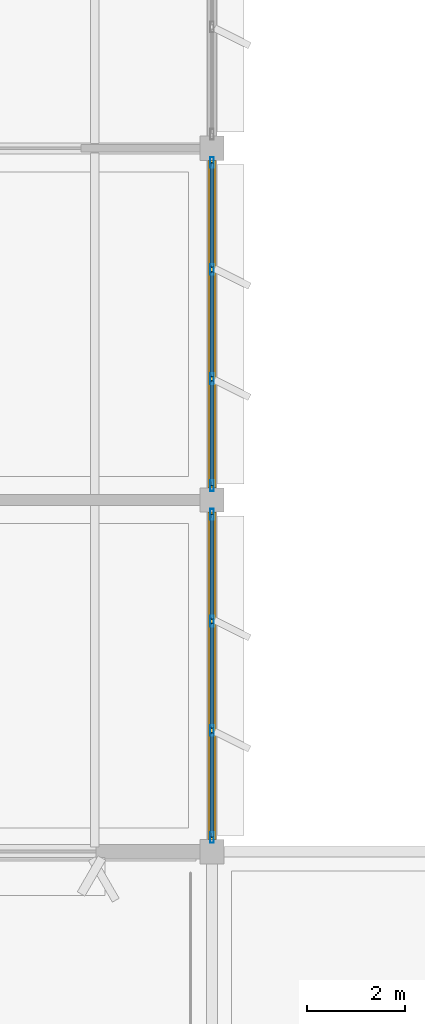
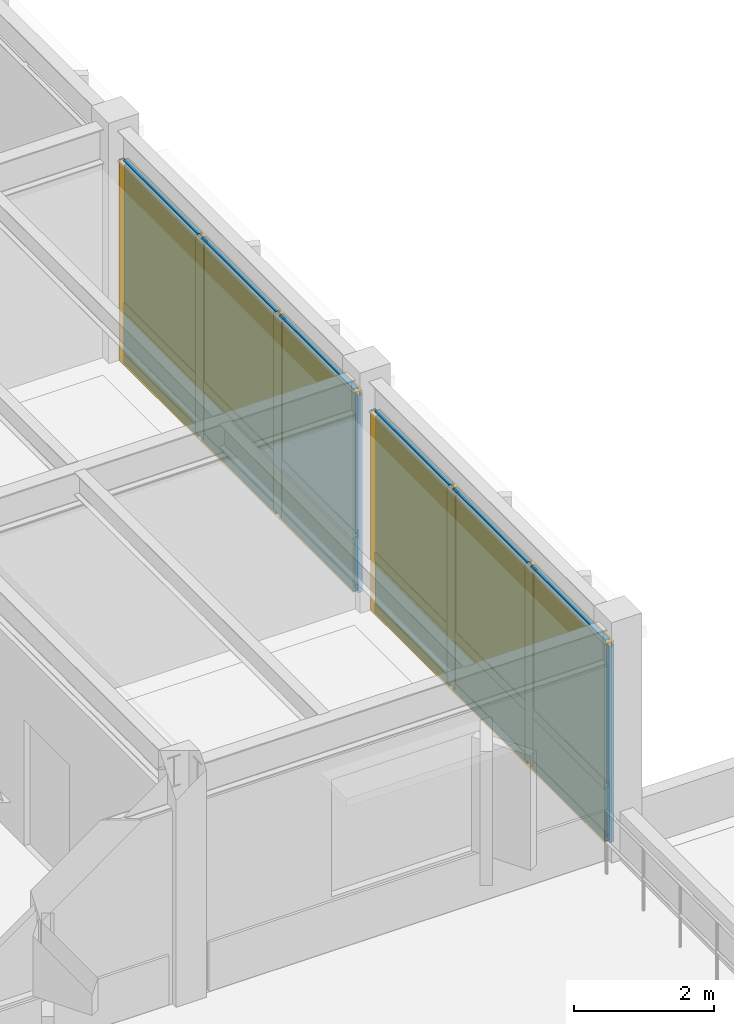
# One storey, part 66 of 85: 26 members, 12 plates, 2 curtain walls.
"""IFC4 building model written with IfcOpenShell, lengths in metres."""

from ifc_helpers import new_model, si_unit, direction, frame, origin, origin_2d, place, context, subcontext, project, spatial, rectangle, hollow_rectangle, extrude, material, layer, layer_set, material_profile, profile_set, type_object, element, aggregate, save


model = new_model("IFC4")

# Units and contexts
model_context = context("Model", 3, precision=1e-05, world=origin(), true_north=direction((0.0, 1.0)))
body_context = subcontext(model_context, "Body", "Model", "MODEL_VIEW")
ifc_project = project(units=[si_unit("LENGTHUNIT", "METRE"), si_unit("AREAUNIT", "SQUARE_METRE"), si_unit("VOLUMEUNIT", "CUBIC_METRE"), si_unit("PLANEANGLEUNIT", "RADIAN"), si_unit("MASSUNIT", "GRAM", prefix="KILO")], contexts=[model_context])

# Member
ifc_material_1 = material(Name="Anodized Aluminium 6063-T6", Category="aluminium")
ifc_material_profile_1 = material_profile(ifc_material_1, hollow_rectangle(XDim=0.074951171875, YDim=0.219970703125, WallThickness=0.0048828125, at=origin_2d()), Name="ALU 75x220x5")
ifc_profile_set_1 = profile_set([ifc_material_profile_1], Name="Anodized Aluminium 6063-T6")
member_type_1 = type_object("IfcMemberType", Name="CWM-75X180", PredefinedType="MULLION", material=ifc_profile_set_1)
site_placement = place(None, origin())
building_placement = place(site_placement, origin())
storey_placement = place(building_placement, frame((0.0, 0.0, 9.89990234375)))
member_1_placement = place(storey_placement, frame((144.0, 35.7099609375, 0.02001953125), z_axis=(0.0, 0.0, 1.0), x_axis=(1.0, 0.0, 0.0)))
member_1 = element("IfcMember", 1, at=member_1_placement, type_object=member_type_1, Name="Curtain wall mullion CW-L03-19-04-E-00", PredefinedType="MULLION", context=body_context, shape_type="SweptSolid", body=[
    extrude(hollow_rectangle(XDim=0.074951171875, YDim=0.219970703125, WallThickness=0.0048828125, at=origin_2d()), origin(), (0.0, 0.0, 1.0), 3.427001953125),
])

member_2_placement = place(storey_placement, frame((144.0, 33.5166015625, 0.02001953125), z_axis=(0.0, 0.0, 1.0), x_axis=(1.0, 0.0, 0.0)))
member_2 = element("IfcMember", 2, at=member_2_placement, type_object=member_type_1, Name="Curtain wall mullion CW-L03-19-04-E-01", PredefinedType="MULLION", context=body_context, shape_type="SweptSolid", body=[
    extrude(hollow_rectangle(XDim=0.074951171875, YDim=0.219970703125, WallThickness=0.0048828125, at=origin_2d()), origin(), (0.0, 0.0, 1.0), 3.427001953125),
])

member_3_placement = place(storey_placement, frame((144.0, 31.283203125, 0.02001953125), z_axis=(0.0, 0.0, 1.0), x_axis=(1.0, 0.0, 0.0)))
member_3 = element("IfcMember", 3, at=member_3_placement, type_object=member_type_1, Name="Curtain wall mullion CW-L03-19-04-E-02", PredefinedType="MULLION", context=body_context, shape_type="SweptSolid", body=[
    extrude(hollow_rectangle(XDim=0.074951171875, YDim=0.219970703125, WallThickness=0.0048828125, at=origin_2d()), origin(), (0.0, 0.0, 1.0), 3.427001953125),
])

member_4_placement = place(storey_placement, frame((144.0, 29.090087890625, 0.02001953125), z_axis=(0.0, 0.0, 1.0), x_axis=(1.0, 0.0, 0.0)))
member_4 = element("IfcMember", 4, at=member_4_placement, type_object=member_type_1, Name="Curtain wall mullion CW-L03-19-04-E-03", PredefinedType="MULLION", context=body_context, shape_type="SweptSolid", body=[
    extrude(hollow_rectangle(XDim=0.074951171875, YDim=0.219970703125, WallThickness=0.0048828125, at=origin_2d()), origin(), (0.0, 0.0, 1.0), 3.427001953125),
])

member_5_placement = place(storey_placement, frame((144.0, 42.909912109375, 0.02001953125), z_axis=(0.0, 0.0, 1.0), x_axis=(1.0, 0.0, 0.0)))
member_5 = element("IfcMember", 5, at=member_5_placement, type_object=member_type_1, Name="Curtain wall mullion CW-L03-19-05-E-00", PredefinedType="MULLION", context=body_context, shape_type="SweptSolid", body=[
    extrude(hollow_rectangle(XDim=0.074951171875, YDim=0.219970703125, WallThickness=0.0048828125, at=origin_2d()), origin(), (0.0, 0.0, 1.0), 3.447021484375),
])

member_6_placement = place(storey_placement, frame((144.0, 40.716796875, 0.02001953125), z_axis=(0.0, 0.0, 1.0), x_axis=(1.0, 0.0, 0.0)))
member_6 = element("IfcMember", 6, at=member_6_placement, type_object=member_type_1, Name="Curtain wall mullion CW-L03-19-05-E-01", PredefinedType="MULLION", context=body_context, shape_type="SweptSolid", body=[
    extrude(hollow_rectangle(XDim=0.074951171875, YDim=0.219970703125, WallThickness=0.0048828125, at=origin_2d()), origin(), (0.0, 0.0, 1.0), 3.447021484375),
])

member_7_placement = place(storey_placement, frame((144.0, 38.4833984375, 0.02001953125), z_axis=(0.0, 0.0, 1.0), x_axis=(1.0, 0.0, 0.0)))
member_7 = element("IfcMember", 7, at=member_7_placement, type_object=member_type_1, Name="Curtain wall mullion CW-L03-19-05-E-02", PredefinedType="MULLION", context=body_context, shape_type="SweptSolid", body=[
    extrude(hollow_rectangle(XDim=0.074951171875, YDim=0.219970703125, WallThickness=0.0048828125, at=origin_2d()), origin(), (0.0, 0.0, 1.0), 3.447021484375),
])

member_8_placement = place(storey_placement, frame((144.0, 36.2900390625, 0.02001953125), z_axis=(0.0, 0.0, 1.0), x_axis=(1.0, 0.0, 0.0)))
member_8 = element("IfcMember", 8, at=member_8_placement, type_object=member_type_1, Name="Curtain wall mullion CW-L03-19-05-E-03", PredefinedType="MULLION", context=body_context, shape_type="SweptSolid", body=[
    extrude(hollow_rectangle(XDim=0.074951171875, YDim=0.219970703125, WallThickness=0.0048828125, at=origin_2d()), origin(), (0.0, 0.0, 1.0), 3.447021484375),
])

ifc_material_profile_2 = material_profile(ifc_material_1, hollow_rectangle(XDim=0.074951171875, YDim=0.159912109375, WallThickness=0.00390625, at=origin_2d()), Name="ALU 75x160x4")
ifc_profile_set_2 = profile_set([ifc_material_profile_2], Name="Anodized Aluminium 6063-T6")
member_type_2 = type_object("IfcMemberType", Name="CWT-75X150", PredefinedType="USERDEFINED", material=ifc_profile_set_2)
member_9_placement = place(storey_placement, frame((144.0, 35.699951171875, 0.050048828125), z_axis=(0.0, -1.0, 0.0), x_axis=(1.0, 0.0, 0.0)))
member_9 = element("IfcMember", 9, at=member_9_placement, type_object=member_type_2, Name="Curtain wall transom CW-L03-19-04-E-1.01", ObjectType="TRANSOM", PredefinedType="USERDEFINED", context=body_context, shape_type="SweptSolid", body=[
    extrude(hollow_rectangle(XDim=0.074951171875, YDim=0.159912109375, WallThickness=0.00390625, at=origin_2d()), origin(), (0.0, 0.0, 1.0), 2.13330078125),
])

member_10_placement = place(storey_placement, frame((144.0, 33.466796875, 0.050048828125), z_axis=(0.0, -1.0, 0.0), x_axis=(1.0, 0.0, 0.0)))
member_10 = element("IfcMember", 10, at=member_10_placement, type_object=member_type_2, Name="Curtain wall transom CW-L03-19-04-E-1.02", ObjectType="TRANSOM", PredefinedType="USERDEFINED", context=body_context, shape_type="SweptSolid", body=[
    extrude(hollow_rectangle(XDim=0.074951171875, YDim=0.159912109375, WallThickness=0.00390625, at=origin_2d()), origin(), (0.0, 0.0, 1.0), 2.133544921875),
])

member_11_placement = place(storey_placement, frame((144.0, 31.2333984375, 0.050048828125), z_axis=(0.0, -1.0, 0.0), x_axis=(1.0, 0.0, 0.0)))
member_11 = element("IfcMember", 11, at=member_11_placement, type_object=member_type_2, Name="Curtain wall transom CW-L03-19-04-E-1.03", ObjectType="TRANSOM", PredefinedType="USERDEFINED", context=body_context, shape_type="SweptSolid", body=[
    extrude(hollow_rectangle(XDim=0.074951171875, YDim=0.159912109375, WallThickness=0.00390625, at=origin_2d()), origin(), (0.0, 0.0, 1.0), 2.13330078125),
])

member_12_placement = place(storey_placement, frame((144.0, 35.699951171875, 0.9501953125), z_axis=(0.0, -1.0, 0.0), x_axis=(1.0, 0.0, 0.0)))
member_12 = element("IfcMember", 12, at=member_12_placement, type_object=member_type_2, Name="Curtain wall transom CW-L03-19-04-E-2.01", ObjectType="TRANSOM", PredefinedType="USERDEFINED", context=body_context, shape_type="SweptSolid", body=[
    extrude(hollow_rectangle(XDim=0.074951171875, YDim=0.159912109375, WallThickness=0.00390625, at=origin_2d()), origin(), (0.0, 0.0, 1.0), 2.13330078125),
])

member_13_placement = place(storey_placement, frame((144.0, 33.466796875, 0.9501953125), z_axis=(0.0, -1.0, 0.0), x_axis=(1.0, 0.0, 0.0)))
member_13 = element("IfcMember", 13, at=member_13_placement, type_object=member_type_2, Name="Curtain wall transom CW-L03-19-04-E-2.02", ObjectType="TRANSOM", PredefinedType="USERDEFINED", context=body_context, shape_type="SweptSolid", body=[
    extrude(hollow_rectangle(XDim=0.074951171875, YDim=0.159912109375, WallThickness=0.00390625, at=origin_2d()), origin(), (0.0, 0.0, 1.0), 2.133544921875),
])

member_14_placement = place(storey_placement, frame((144.0, 31.2333984375, 0.9501953125), z_axis=(0.0, -1.0, 0.0), x_axis=(1.0, 0.0, 0.0)))
member_14 = element("IfcMember", 14, at=member_14_placement, type_object=member_type_2, Name="Curtain wall transom CW-L03-19-04-E-2.03", ObjectType="TRANSOM", PredefinedType="USERDEFINED", context=body_context, shape_type="SweptSolid", body=[
    extrude(hollow_rectangle(XDim=0.074951171875, YDim=0.159912109375, WallThickness=0.00390625, at=origin_2d()), origin(), (0.0, 0.0, 1.0), 2.13330078125),
])

member_15_placement = place(storey_placement, frame((144.0, 35.699951171875, 3.4169921875), z_axis=(0.0, -1.0, 0.0), x_axis=(1.0, 0.0, 0.0)))
member_15 = element("IfcMember", 15, at=member_15_placement, type_object=member_type_2, Name="Curtain wall transom CW-L03-19-04-E-3.01", ObjectType="TRANSOM", PredefinedType="USERDEFINED", context=body_context, shape_type="SweptSolid", body=[
    extrude(hollow_rectangle(XDim=0.074951171875, YDim=0.159912109375, WallThickness=0.00390625, at=origin_2d()), origin(), (0.0, 0.0, 1.0), 2.13330078125),
])

member_16_placement = place(storey_placement, frame((144.0, 33.466796875, 3.4169921875), z_axis=(0.0, -1.0, 0.0), x_axis=(1.0, 0.0, 0.0)))
member_16 = element("IfcMember", 16, at=member_16_placement, type_object=member_type_2, Name="Curtain wall transom CW-L03-19-04-E-3.02", ObjectType="TRANSOM", PredefinedType="USERDEFINED", context=body_context, shape_type="SweptSolid", body=[
    extrude(hollow_rectangle(XDim=0.074951171875, YDim=0.159912109375, WallThickness=0.00390625, at=origin_2d()), origin(), (0.0, 0.0, 1.0), 2.133544921875),
])

member_17_placement = place(storey_placement, frame((144.0, 31.2333984375, 3.4169921875), z_axis=(0.0, -1.0, 0.0), x_axis=(1.0, 0.0, 0.0)))
member_17 = element("IfcMember", 17, at=member_17_placement, type_object=member_type_2, Name="Curtain wall transom CW-L03-19-04-E-3.03", ObjectType="TRANSOM", PredefinedType="USERDEFINED", context=body_context, shape_type="SweptSolid", body=[
    extrude(hollow_rectangle(XDim=0.074951171875, YDim=0.159912109375, WallThickness=0.00390625, at=origin_2d()), origin(), (0.0, 0.0, 1.0), 2.13330078125),
])

member_18_placement = place(storey_placement, frame((144.0, 42.89990234375, 0.050048828125), z_axis=(0.0, -1.0, 0.0), x_axis=(1.0, 0.0, 0.0)))
member_18 = element("IfcMember", 18, at=member_18_placement, type_object=member_type_2, Name="Curtain wall transom CW-L03-19-05-E-1.01", ObjectType="TRANSOM", PredefinedType="USERDEFINED", context=body_context, shape_type="SweptSolid", body=[
    extrude(hollow_rectangle(XDim=0.074951171875, YDim=0.159912109375, WallThickness=0.00390625, at=origin_2d()), origin(), (0.0, 0.0, 1.0), 2.13330078125),
])

member_19_placement = place(storey_placement, frame((144.0, 40.666748046875, 0.050048828125), z_axis=(0.0, -1.0, 0.0), x_axis=(1.0, 0.0, 0.0)))
member_19 = element("IfcMember", 19, at=member_19_placement, type_object=member_type_2, Name="Curtain wall transom CW-L03-19-05-E-1.02", ObjectType="TRANSOM", PredefinedType="USERDEFINED", context=body_context, shape_type="SweptSolid", body=[
    extrude(hollow_rectangle(XDim=0.074951171875, YDim=0.159912109375, WallThickness=0.00390625, at=origin_2d()), origin(), (0.0, 0.0, 1.0), 2.133544921875),
])

member_20_placement = place(storey_placement, frame((144.0, 38.433349609375, 0.050048828125), z_axis=(0.0, -1.0, 0.0), x_axis=(1.0, 0.0, 0.0)))
member_20 = element("IfcMember", 20, at=member_20_placement, type_object=member_type_2, Name="Curtain wall transom CW-L03-19-05-E-1.03", ObjectType="TRANSOM", PredefinedType="USERDEFINED", context=body_context, shape_type="SweptSolid", body=[
    extrude(hollow_rectangle(XDim=0.074951171875, YDim=0.159912109375, WallThickness=0.00390625, at=origin_2d()), origin(), (0.0, 0.0, 1.0), 2.13330078125),
])

member_21_placement = place(storey_placement, frame((144.0, 42.89990234375, 0.9501953125), z_axis=(0.0, -1.0, 0.0), x_axis=(1.0, 0.0, 0.0)))
member_21 = element("IfcMember", 21, at=member_21_placement, type_object=member_type_2, Name="Curtain wall transom CW-L03-19-05-E-2.01", ObjectType="TRANSOM", PredefinedType="USERDEFINED", context=body_context, shape_type="SweptSolid", body=[
    extrude(hollow_rectangle(XDim=0.074951171875, YDim=0.159912109375, WallThickness=0.00390625, at=origin_2d()), origin(), (0.0, 0.0, 1.0), 2.13330078125),
])

member_22_placement = place(storey_placement, frame((144.0, 40.666748046875, 0.9501953125), z_axis=(0.0, -1.0, 0.0), x_axis=(1.0, 0.0, 0.0)))
member_22 = element("IfcMember", 22, at=member_22_placement, type_object=member_type_2, Name="Curtain wall transom CW-L03-19-05-E-2.02", ObjectType="TRANSOM", PredefinedType="USERDEFINED", context=body_context, shape_type="SweptSolid", body=[
    extrude(hollow_rectangle(XDim=0.074951171875, YDim=0.159912109375, WallThickness=0.00390625, at=origin_2d()), origin(), (0.0, 0.0, 1.0), 2.133544921875),
])

member_23_placement = place(storey_placement, frame((144.0, 38.433349609375, 0.9501953125), z_axis=(0.0, -1.0, 0.0), x_axis=(1.0, 0.0, 0.0)))
member_23 = element("IfcMember", 23, at=member_23_placement, type_object=member_type_2, Name="Curtain wall transom CW-L03-19-05-E-2.03", ObjectType="TRANSOM", PredefinedType="USERDEFINED", context=body_context, shape_type="SweptSolid", body=[
    extrude(hollow_rectangle(XDim=0.074951171875, YDim=0.159912109375, WallThickness=0.00390625, at=origin_2d()), origin(), (0.0, 0.0, 1.0), 2.13330078125),
])

member_24_placement = place(storey_placement, frame((144.0, 42.89990234375, 3.43701171875), z_axis=(0.0, -1.0, 0.0), x_axis=(1.0, 0.0, 0.0)))
member_24 = element("IfcMember", 24, at=member_24_placement, type_object=member_type_2, Name="Curtain wall transom CW-L03-19-05-E-3.01", ObjectType="TRANSOM", PredefinedType="USERDEFINED", context=body_context, shape_type="SweptSolid", body=[
    extrude(hollow_rectangle(XDim=0.074951171875, YDim=0.159912109375, WallThickness=0.00390625, at=origin_2d()), origin(), (0.0, 0.0, 1.0), 2.13330078125),
])

member_25_placement = place(storey_placement, frame((144.0, 40.666748046875, 3.43701171875), z_axis=(0.0, -1.0, 0.0), x_axis=(1.0, 0.0, 0.0)))
member_25 = element("IfcMember", 25, at=member_25_placement, type_object=member_type_2, Name="Curtain wall transom CW-L03-19-05-E-3.02", ObjectType="TRANSOM", PredefinedType="USERDEFINED", context=body_context, shape_type="SweptSolid", body=[
    extrude(hollow_rectangle(XDim=0.074951171875, YDim=0.159912109375, WallThickness=0.00390625, at=origin_2d()), origin(), (0.0, 0.0, 1.0), 2.133544921875),
])

member_26_placement = place(storey_placement, frame((144.0, 38.433349609375, 3.43701171875), z_axis=(0.0, -1.0, 0.0), x_axis=(1.0, 0.0, 0.0)))
member_26 = element("IfcMember", 26, at=member_26_placement, type_object=member_type_2, Name="Curtain wall transom CW-L03-19-05-E-3.03", ObjectType="TRANSOM", PredefinedType="USERDEFINED", context=body_context, shape_type="SweptSolid", body=[
    extrude(hollow_rectangle(XDim=0.074951171875, YDim=0.159912109375, WallThickness=0.00390625, at=origin_2d()), origin(), (0.0, 0.0, 1.0), 2.13330078125),
])

# Plate
ifc_material_2 = material(Name="Acoustic Laminated Low-E Glazing", Category="glass")
ifc_layer_1 = layer(ifc_material_2, 0.0439453125)
ifc_layer_set_1 = layer_set([ifc_layer_1], Name="Acoustic Laminated Low-E Glazing")
plate_type_1 = type_object("IfcPlateType", Name="CWP-IGU-44", PredefinedType="CURTAIN_PANEL", material=ifc_layer_set_1)
plate_1_placement = place(storey_placement, frame((144.0, 34.63330078125, 0.989990234375), z_axis=(0.0, 0.0, 1.0), x_axis=(0.0, -1.0, 0.0)))
plate_1 = element("IfcPlate", 27, at=plate_1_placement, type_object=plate_type_1, Name="Curtain wall vision glazing CW-L03-19-04-E-01", PredefinedType="CURTAIN_PANEL", context=body_context, shape_type="SweptSolid", body=[
    extrude(rectangle(XDim=2.143310546875, YDim=0.0400390625, at=origin_2d()), origin(), (0.0, 0.0, 1.0), 2.4169921875),
])

plate_2_placement = place(storey_placement, frame((144.0, 32.39990234375, 0.989990234375), z_axis=(0.0, 0.0, 1.0), x_axis=(0.0, -1.0, 0.0)))
plate_2 = element("IfcPlate", 28, at=plate_2_placement, type_object=plate_type_1, Name="Curtain wall vision glazing CW-L03-19-04-E-02", PredefinedType="CURTAIN_PANEL", context=body_context, shape_type="SweptSolid", body=[
    extrude(rectangle(XDim=2.143310546875, YDim=0.0400390625, at=origin_2d()), origin(), (0.0, 0.0, 1.0), 2.4169921875),
])

plate_3_placement = place(storey_placement, frame((144.0, 30.166748046875, 0.989990234375), z_axis=(0.0, 0.0, 1.0), x_axis=(0.0, -1.0, 0.0)))
plate_3 = element("IfcPlate", 29, at=plate_3_placement, type_object=plate_type_1, Name="Curtain wall vision glazing CW-L03-19-04-E-03", PredefinedType="CURTAIN_PANEL", context=body_context, shape_type="SweptSolid", body=[
    extrude(rectangle(XDim=2.143310546875, YDim=0.0400390625, at=origin_2d()), origin(), (0.0, 0.0, 1.0), 2.4169921875),
])

plate_4_placement = place(storey_placement, frame((144.0, 41.833251953125, 0.989990234375), z_axis=(0.0, 0.0, 1.0), x_axis=(0.0, -1.0, 0.0)))
plate_4 = element("IfcPlate", 30, at=plate_4_placement, type_object=plate_type_1, Name="Curtain wall vision glazing CW-L03-19-05-E-01", PredefinedType="CURTAIN_PANEL", context=body_context, shape_type="SweptSolid", body=[
    extrude(rectangle(XDim=2.143310546875, YDim=0.0400390625, at=origin_2d()), origin(), (0.0, 0.0, 1.0), 2.43701171875),
])

plate_5_placement = place(storey_placement, frame((144.0, 39.60009765625, 0.989990234375), z_axis=(0.0, 0.0, 1.0), x_axis=(0.0, -1.0, 0.0)))
plate_5 = element("IfcPlate", 31, at=plate_5_placement, type_object=plate_type_1, Name="Curtain wall vision glazing CW-L03-19-05-E-02", PredefinedType="CURTAIN_PANEL", context=body_context, shape_type="SweptSolid", body=[
    extrude(rectangle(XDim=2.143310546875, YDim=0.0400390625, at=origin_2d()), origin(), (0.0, 0.0, 1.0), 2.43701171875),
])

plate_6_placement = place(storey_placement, frame((144.0, 37.36669921875, 0.989990234375), z_axis=(0.0, 0.0, 1.0), x_axis=(0.0, -1.0, 0.0)))
plate_6 = element("IfcPlate", 32, at=plate_6_placement, type_object=plate_type_1, Name="Curtain wall vision glazing CW-L03-19-05-E-03", PredefinedType="CURTAIN_PANEL", context=body_context, shape_type="SweptSolid", body=[
    extrude(rectangle(XDim=2.143310546875, YDim=0.0400390625, at=origin_2d()), origin(), (0.0, 0.0, 1.0), 2.43701171875),
])

ifc_material_3 = material(Name="Insulated Stone-Composite Spandrel", Category="masonry")
ifc_layer_2 = layer(ifc_material_3, 0.068115234375)
ifc_layer_set_2 = layer_set([ifc_layer_2], Name="Insulated Stone-Composite Spandrel")
plate_type_2 = type_object("IfcPlateType", Name="CWP-SPN-68", PredefinedType="CURTAIN_PANEL", material=ifc_layer_set_2)
plate_7_placement = place(storey_placement, frame((144.0, 34.63330078125, 0.080078125), z_axis=(0.0, 0.0, 1.0), x_axis=(0.0, -1.0, 0.0)))
plate_7 = element("IfcPlate", 33, at=plate_7_placement, type_object=plate_type_2, Name="Curtain wall spandrel panel CW-L03-19-04-E-01", PredefinedType="CURTAIN_PANEL", context=body_context, shape_type="SweptSolid", body=[
    extrude(rectangle(XDim=2.143310546875, YDim=0.06005859375, at=origin_2d()), origin(), (0.0, 0.0, 1.0), 0.840087890625),
])

plate_8_placement = place(storey_placement, frame((144.0, 32.39990234375, 0.080078125), z_axis=(0.0, 0.0, 1.0), x_axis=(0.0, -1.0, 0.0)))
plate_8 = element("IfcPlate", 34, at=plate_8_placement, type_object=plate_type_2, Name="Curtain wall spandrel panel CW-L03-19-04-E-02", PredefinedType="CURTAIN_PANEL", context=body_context, shape_type="SweptSolid", body=[
    extrude(rectangle(XDim=2.143310546875, YDim=0.06005859375, at=origin_2d()), origin(), (0.0, 0.0, 1.0), 0.840087890625),
])

plate_9_placement = place(storey_placement, frame((144.0, 30.166748046875, 0.080078125), z_axis=(0.0, 0.0, 1.0), x_axis=(0.0, -1.0, 0.0)))
plate_9 = element("IfcPlate", 35, at=plate_9_placement, type_object=plate_type_2, Name="Curtain wall spandrel panel CW-L03-19-04-E-03", PredefinedType="CURTAIN_PANEL", context=body_context, shape_type="SweptSolid", body=[
    extrude(rectangle(XDim=2.143310546875, YDim=0.06005859375, at=origin_2d()), origin(), (0.0, 0.0, 1.0), 0.840087890625),
])

plate_10_placement = place(storey_placement, frame((144.0, 41.833251953125, 0.080078125), z_axis=(0.0, 0.0, 1.0), x_axis=(0.0, -1.0, 0.0)))
plate_10 = element("IfcPlate", 36, at=plate_10_placement, type_object=plate_type_2, Name="Curtain wall spandrel panel CW-L03-19-05-E-01", PredefinedType="CURTAIN_PANEL", context=body_context, shape_type="SweptSolid", body=[
    extrude(rectangle(XDim=2.143310546875, YDim=0.06005859375, at=origin_2d()), origin(), (0.0, 0.0, 1.0), 0.840087890625),
])

plate_11_placement = place(storey_placement, frame((144.0, 39.60009765625, 0.080078125), z_axis=(0.0, 0.0, 1.0), x_axis=(0.0, -1.0, 0.0)))
plate_11 = element("IfcPlate", 37, at=plate_11_placement, type_object=plate_type_2, Name="Curtain wall spandrel panel CW-L03-19-05-E-02", PredefinedType="CURTAIN_PANEL", context=body_context, shape_type="SweptSolid", body=[
    extrude(rectangle(XDim=2.143310546875, YDim=0.06005859375, at=origin_2d()), origin(), (0.0, 0.0, 1.0), 0.840087890625),
])

plate_12_placement = place(storey_placement, frame((144.0, 37.36669921875, 0.080078125), z_axis=(0.0, 0.0, 1.0), x_axis=(0.0, -1.0, 0.0)))
plate_12 = element("IfcPlate", 38, at=plate_12_placement, type_object=plate_type_2, Name="Curtain wall spandrel panel CW-L03-19-05-E-03", PredefinedType="CURTAIN_PANEL", context=body_context, shape_type="SweptSolid", body=[
    extrude(rectangle(XDim=2.143310546875, YDim=0.06005859375, at=origin_2d()), origin(), (0.0, 0.0, 1.0), 0.840087890625),
])

# Site, building, storey
site = spatial("IfcSite", under=ifc_project, at=site_placement, CompositionType="ELEMENT")
building = spatial("IfcBuilding", under=site, at=building_placement, Name="Sillqori Civic Hall", CompositionType="ELEMENT")
storey = spatial("IfcBuildingStorey", under=building, at=storey_placement, Name="L03", CompositionType="ELEMENT", Elevation=9.89990234375)

# Curtain wall
ifc_material_4 = material(Name="Anodized Aluminium Curtain Wall System", Category="aluminium")
curtain_wall_type = type_object("IfcCurtainWallType", Name="CW-GL-400", PredefinedType="NOTDEFINED", material=ifc_material_4)
curtain_wall_1_placement = place(storey_placement, frame((144.0, 32.39990234375, 0.0), z_axis=(0.0, 0.0, 1.0), x_axis=(0.0, -1.0, 0.0)))
curtain_wall_1 = element("IfcCurtainWall", 39, at=curtain_wall_1_placement, inside=storey, type_object=curtain_wall_type, Name="L03 unitised curtain wall CW-L03-19-04-E", PredefinedType="NOTDEFINED", context=body_context, shape_type="SweptSolid", body=[
    extrude(rectangle(XDim=6.699951171875, YDim=0.159912109375, at=origin_2d()), origin(), (0.0, 0.0, 1.0), 3.467041015625),
])

aggregate(curtain_wall_1, [member_1, member_2, member_3, member_4, member_9, member_10, member_11, member_12, member_13, member_14, member_15, member_16, member_17, plate_7, plate_1, plate_8, plate_2, plate_9, plate_3])

curtain_wall_2_placement = place(storey_placement, frame((144.0, 39.60009765625, 0.0), z_axis=(0.0, 0.0, 1.0), x_axis=(0.0, -1.0, 0.0)))
curtain_wall_2 = element("IfcCurtainWall", 40, at=curtain_wall_2_placement, inside=storey, type_object=curtain_wall_type, Name="L03 unitised curtain wall CW-L03-19-05-E", PredefinedType="NOTDEFINED", context=body_context, shape_type="SweptSolid", body=[
    extrude(rectangle(XDim=6.699951171875, YDim=0.159912109375, at=origin_2d()), origin(), (0.0, 0.0, 1.0), 3.487060546875),
])

aggregate(curtain_wall_2, [member_5, member_6, member_7, member_8, member_18, member_19, member_20, member_21, member_22, member_23, member_24, member_25, member_26, plate_10, plate_4, plate_11, plate_5, plate_12, plate_6])

save(model, "model.ifc")
